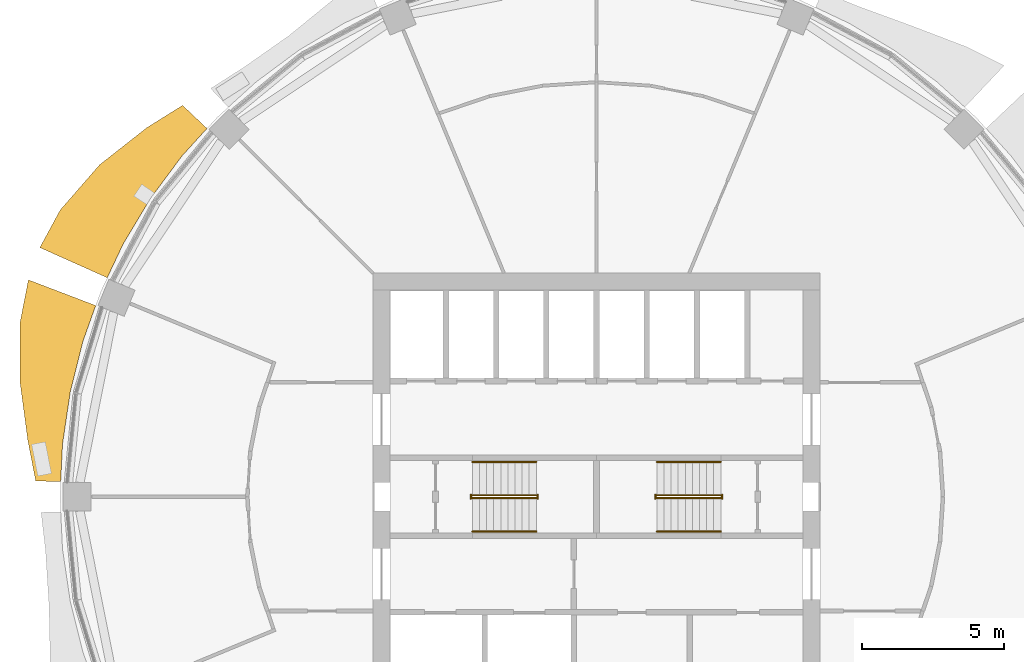
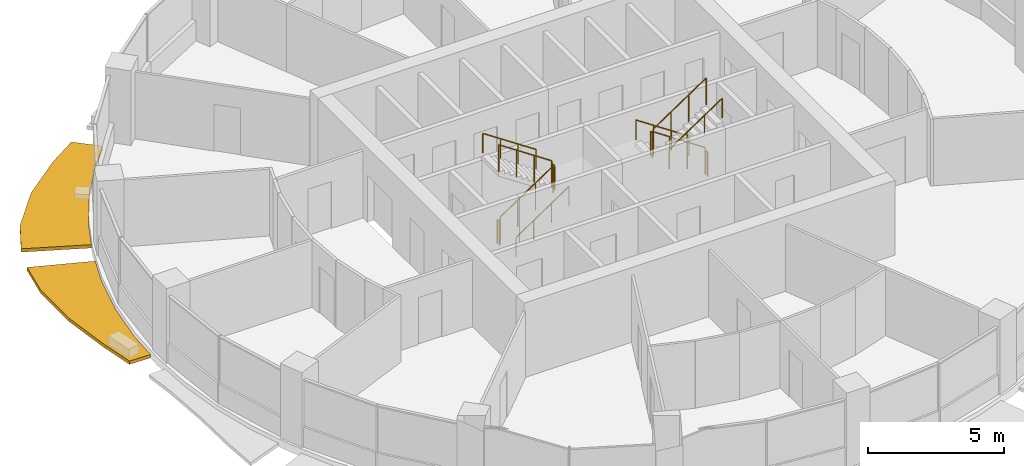
# One storey, part 12 of 14: 12 railings, 2 shading devices.
"""IFC4 building model written with IfcOpenShell, lengths in metres."""

from ifc_helpers import new_model, si_unit, direction, frame, origin, origin_2d, place, context, subcontext, project, spatial, polyline, circle, outline, extrude, material, type_object, element, save


model = new_model("IFC4")

# Units and contexts
model_context = context("Model", 3, precision=1e-05, world=origin(), true_north=direction((0.0, 1.0)))
body_context = subcontext(model_context, "Body", "Model", "MODEL_VIEW")
ifc_project = project(units=[si_unit("LENGTHUNIT", "METRE"), si_unit("AREAUNIT", "SQUARE_METRE"), si_unit("VOLUMEUNIT", "CUBIC_METRE"), si_unit("PLANEANGLEUNIT", "RADIAN"), si_unit("MASSUNIT", "GRAM", prefix="KILO")], contexts=[model_context])

# Site, building, storey
site_placement = place(None, origin())
site = spatial("IfcSite", under=ifc_project, at=site_placement, CompositionType="ELEMENT")
building_placement = place(site_placement, origin())
building = spatial("IfcBuilding", under=site, at=building_placement, Name="Polderwave Tower", CompositionType="ELEMENT")
storey_placement = place(building_placement, frame((0.0, 0.0, 141.050048828125)))
storey = spatial("IfcBuildingStorey", under=building, at=storey_placement, Name="L37", CompositionType="ELEMENT", Elevation=141.050048828125)

# Railings
ifc_material_1 = material(Name="Stainless steel", Category="steel")
railing_type_1 = type_object("IfcRailingType", Name="Stair guard 1100", PredefinedType="GUARDRAIL", material=ifc_material_1)
railing_1_placement = place(storey_placement, frame((-4.3740234375, -0.051025390625, 0.04736328125)))
element("IfcRailing", 1, at=railing_1_placement, inside=storey, type_object=railing_type_1, Name="L37 ST-A stair guard 1", PredefinedType="GUARDRAIL", context=body_context, shape_type="SweptSolid", body=[
    extrude(circle(Radius=0.02392578125, at=origin_2d()), frame((0.0, 0.0, 1.1962890625), z_axis=(0.830758306289, 0.0, 0.556633305266), x_axis=(0.0, 1.0, 0.0)), (0.0, 0.0, 1.0), 2.708251953125),
    extrude(circle(Radius=0.02392578125, at=origin_2d()), origin(), (0.0, 0.0, 1.0), 1.172119140625),
    extrude(circle(Radius=0.02392578125, at=origin_2d()), frame((0.75, 0.0, 0.50244140625)), (0.0, 0.0, 1.0), 1.172119140625),
    extrude(circle(Radius=0.02392578125, at=origin_2d()), frame((1.5, 0.0, 1.005126953125)), (0.0, 0.0, 1.0), 1.172119140625),
    extrude(circle(Radius=0.02392578125, at=origin_2d()), frame((2.25, 0.0, 1.507568359375)), (0.0, 0.0, 1.0), 1.172119140625),
])
railing_2_placement = place(storey_placement, frame((-2.073974609375, -0.074951171875, 1.675048828125)))
element("IfcRailing", 2, at=railing_2_placement, inside=storey, type_object=railing_type_1, Name="L37 ST-A stair guard 2", PredefinedType="GUARDRAIL", context=body_context, shape_type="SweptSolid", body=[
    extrude(circle(Radius=0.02392578125, at=origin_2d()), frame((0.0, 0.0, 1.076171875), z_axis=(0.0, 1.0, 0.0), x_axis=(-1.0, 0.0, 0.0)), (0.0, 0.0, 1.0), 0.14990234375),
    extrude(circle(Radius=0.02099609375, at=origin_2d()), origin(), (0.0, 0.0, 1.0), 1.052001953125),
    extrude(circle(Radius=0.02099609375, at=origin_2d()), frame((0.0, 0.14990234375, 0.0)), (0.0, 0.0, 1.0), 1.052001953125),
])
railing_3_placement = place(storey_placement, frame((-2.1240234375, 0.051025390625, 1.722412109375)))
element("IfcRailing", 3, at=railing_3_placement, inside=storey, type_object=railing_type_1, Name="L37 ST-A stair guard 3", PredefinedType="GUARDRAIL", context=body_context, shape_type="SweptSolid", body=[
    extrude(circle(Radius=0.02392578125, at=origin_2d()), frame((0.0, 0.0, 1.1962890625), z_axis=(-0.830799990696, 0.0, 0.556571087517), x_axis=(0.0, -1.0, 0.0)), (0.0, 0.0, 1.0), 2.708251953125),
    extrude(circle(Radius=0.02392578125, at=origin_2d()), origin(), (0.0, 0.0, 1.0), 1.172119140625),
    extrude(circle(Radius=0.02392578125, at=origin_2d()), frame((-0.75, 0.0, 0.50244140625)), (0.0, 0.0, 1.0), 1.172119140625),
    extrude(circle(Radius=0.02392578125, at=origin_2d()), frame((-1.5, 0.0, 1.0048828125)), (0.0, 0.0, 1.0), 1.172119140625),
    extrude(circle(Radius=0.02392578125, at=origin_2d()), frame((-2.25, 0.0, 1.50732421875)), (0.0, 0.0, 1.0), 1.172119140625),
])
railing_4_placement = place(storey_placement, frame((-4.424072265625, -0.074951171875, 0.0)))
element("IfcRailing", 4, at=railing_4_placement, inside=storey, type_object=railing_type_1, Name="L37 ST-A stair guard 4", PredefinedType="GUARDRAIL", context=body_context, shape_type="SweptSolid", body=[
    extrude(circle(Radius=0.02392578125, at=origin_2d()), frame((0.0, 0.0, 1.076171875), z_axis=(0.0, 1.0, 0.0), x_axis=(-1.0, 0.0, 0.0)), (0.0, 0.0, 1.0), 0.14990234375),
    extrude(circle(Radius=0.02099609375, at=origin_2d()), origin(), (0.0, 0.0, 1.0), 1.052001953125),
    extrude(circle(Radius=0.02099609375, at=origin_2d()), frame((0.0, 0.14990234375, 0.0)), (0.0, 0.0, 1.0), 1.052001953125),
])
railing_5_placement = place(storey_placement, frame((4.3740234375, 0.051025390625, 0.04736328125)))
element("IfcRailing", 5, at=railing_5_placement, inside=storey, type_object=railing_type_1, Name="L37 ST-B stair guard 1", PredefinedType="GUARDRAIL", context=body_context, shape_type="SweptSolid", body=[
    extrude(circle(Radius=0.02392578125, at=origin_2d()), frame((0.0, 0.0, 1.1962890625), z_axis=(-0.830758306289, 0.0, 0.556633305266), x_axis=(0.0, -1.0, 0.0)), (0.0, 0.0, 1.0), 2.708251953125),
    extrude(circle(Radius=0.02392578125, at=origin_2d()), origin(), (0.0, 0.0, 1.0), 1.172119140625),
    extrude(circle(Radius=0.02392578125, at=origin_2d()), frame((-0.75, 0.0, 0.50244140625)), (0.0, 0.0, 1.0), 1.172119140625),
    extrude(circle(Radius=0.02392578125, at=origin_2d()), frame((-1.5, 0.0, 1.005126953125)), (0.0, 0.0, 1.0), 1.172119140625),
    extrude(circle(Radius=0.02392578125, at=origin_2d()), frame((-2.25, 0.0, 1.507568359375)), (0.0, 0.0, 1.0), 1.172119140625),
])
railing_6_placement = place(storey_placement, frame((2.073974609375, 0.074951171875, 1.675048828125)))
element("IfcRailing", 6, at=railing_6_placement, inside=storey, type_object=railing_type_1, Name="L37 ST-B stair guard 2", PredefinedType="GUARDRAIL", context=body_context, shape_type="SweptSolid", body=[
    extrude(circle(Radius=0.02392578125, at=origin_2d()), frame((0.0, 0.0, 1.076171875), z_axis=(0.0, -1.0, 0.0), x_axis=(1.0, 0.0, 0.0)), (0.0, 0.0, 1.0), 0.14990234375),
    extrude(circle(Radius=0.02099609375, at=origin_2d()), origin(), (0.0, 0.0, 1.0), 1.052001953125),
    extrude(circle(Radius=0.02099609375, at=origin_2d()), frame((0.0, -0.14990234375, 0.0)), (0.0, 0.0, 1.0), 1.052001953125),
])
railing_7_placement = place(storey_placement, frame((2.1240234375, -0.051025390625, 1.722412109375)))
element("IfcRailing", 7, at=railing_7_placement, inside=storey, type_object=railing_type_1, Name="L37 ST-B stair guard 3", PredefinedType="GUARDRAIL", context=body_context, shape_type="SweptSolid", body=[
    extrude(circle(Radius=0.02392578125, at=origin_2d()), frame((0.0, 0.0, 1.1962890625), z_axis=(0.830799990696, 0.0, 0.556571087517), x_axis=(0.0, 1.0, 0.0)), (0.0, 0.0, 1.0), 2.708251953125),
    extrude(circle(Radius=0.02392578125, at=origin_2d()), origin(), (0.0, 0.0, 1.0), 1.172119140625),
    extrude(circle(Radius=0.02392578125, at=origin_2d()), frame((0.75, 0.0, 0.50244140625)), (0.0, 0.0, 1.0), 1.172119140625),
    extrude(circle(Radius=0.02392578125, at=origin_2d()), frame((1.5, 0.0, 1.0048828125)), (0.0, 0.0, 1.0), 1.172119140625),
    extrude(circle(Radius=0.02392578125, at=origin_2d()), frame((2.25, 0.0, 1.50732421875)), (0.0, 0.0, 1.0), 1.172119140625),
])
railing_8_placement = place(storey_placement, frame((4.424072265625, 0.074951171875, 0.0)))
element("IfcRailing", 8, at=railing_8_placement, inside=storey, type_object=railing_type_1, Name="L37 ST-B stair guard 4", PredefinedType="GUARDRAIL", context=body_context, shape_type="SweptSolid", body=[
    extrude(circle(Radius=0.02392578125, at=origin_2d()), frame((0.0, 0.0, 1.076171875), z_axis=(0.0, -1.0, 0.0), x_axis=(1.0, 0.0, 0.0)), (0.0, 0.0, 1.0), 0.14990234375),
    extrude(circle(Radius=0.02099609375, at=origin_2d()), origin(), (0.0, 0.0, 1.0), 1.052001953125),
    extrude(circle(Radius=0.02099609375, at=origin_2d()), frame((0.0, -0.14990234375, 0.0)), (0.0, 0.0, 1.0), 1.052001953125),
])
railing_type_2 = type_object("IfcRailingType", Name="Stair handrail 900", PredefinedType="HANDRAIL", material=ifc_material_1)
railing_9_placement = place(storey_placement, frame((-4.3740234375, -1.22509765625, 0.16748046875)))
element("IfcRailing", 9, at=railing_9_placement, inside=storey, type_object=railing_type_2, Name="L37 ST-A stair handrail 1", PredefinedType="HANDRAIL", context=body_context, shape_type="SweptSolid", body=[
    extrude(circle(Radius=0.02392578125, at=origin_2d()), frame((0.0, 0.0, 0.8759765625), z_axis=(0.830758306289, 0.0, 0.556633305266), x_axis=(0.0, 1.0, 0.0)), (0.0, 0.0, 1.0), 2.708251953125),
    extrude(circle(Radius=0.02099609375, at=origin_2d()), origin(), (0.0, 0.0, 1.0), 0.851806640625),
    extrude(circle(Radius=0.02099609375, at=origin_2d()), frame((0.75, 0.0, 0.50244140625)), (0.0, 0.0, 1.0), 0.851806640625),
    extrude(circle(Radius=0.02099609375, at=origin_2d()), frame((1.5, 0.0, 1.005126953125)), (0.0, 0.0, 1.0), 0.851806640625),
    extrude(circle(Radius=0.02099609375, at=origin_2d()), frame((2.25, 0.0, 1.507568359375)), (0.0, 0.0, 1.0), 0.851806640625),
])
railing_10_placement = place(storey_placement, frame((-2.1240234375, 1.22509765625, 1.842529296875)))
element("IfcRailing", 10, at=railing_10_placement, inside=storey, type_object=railing_type_2, Name="L37 ST-A stair handrail 2", PredefinedType="HANDRAIL", context=body_context, shape_type="SweptSolid", body=[
    extrude(circle(Radius=0.02392578125, at=origin_2d()), frame((0.0, 0.0, 0.8759765625), z_axis=(-0.830799990696, 0.0, 0.556571087517), x_axis=(0.0, -1.0, 0.0)), (0.0, 0.0, 1.0), 2.708251953125),
    extrude(circle(Radius=0.02099609375, at=origin_2d()), origin(), (0.0, 0.0, 1.0), 0.851806640625),
    extrude(circle(Radius=0.02099609375, at=origin_2d()), frame((-0.75, 0.0, 0.50244140625)), (0.0, 0.0, 1.0), 0.851806640625),
    extrude(circle(Radius=0.02099609375, at=origin_2d()), frame((-1.5, 0.0, 1.0048828125)), (0.0, 0.0, 1.0), 0.851806640625),
    extrude(circle(Radius=0.02099609375, at=origin_2d()), frame((-2.25, 0.0, 1.50732421875)), (0.0, 0.0, 1.0), 0.851806640625),
])
railing_11_placement = place(storey_placement, frame((4.3740234375, 1.22509765625, 0.16748046875)))
element("IfcRailing", 11, at=railing_11_placement, inside=storey, type_object=railing_type_2, Name="L37 ST-B stair handrail 1", PredefinedType="HANDRAIL", context=body_context, shape_type="SweptSolid", body=[
    extrude(circle(Radius=0.02392578125, at=origin_2d()), frame((0.0, 0.0, 0.8759765625), z_axis=(-0.830758306289, 0.0, 0.556633305266), x_axis=(0.0, -1.0, 0.0)), (0.0, 0.0, 1.0), 2.708251953125),
    extrude(circle(Radius=0.02099609375, at=origin_2d()), origin(), (0.0, 0.0, 1.0), 0.851806640625),
    extrude(circle(Radius=0.02099609375, at=origin_2d()), frame((-0.75, 0.0, 0.50244140625)), (0.0, 0.0, 1.0), 0.851806640625),
    extrude(circle(Radius=0.02099609375, at=origin_2d()), frame((-1.5, 0.0, 1.005126953125)), (0.0, 0.0, 1.0), 0.851806640625),
    extrude(circle(Radius=0.02099609375, at=origin_2d()), frame((-2.25, 0.0, 1.507568359375)), (0.0, 0.0, 1.0), 0.851806640625),
])
railing_12_placement = place(storey_placement, frame((2.1240234375, -1.22509765625, 1.842529296875)))
element("IfcRailing", 12, at=railing_12_placement, inside=storey, type_object=railing_type_2, Name="L37 ST-B stair handrail 2", PredefinedType="HANDRAIL", context=body_context, shape_type="SweptSolid", body=[
    extrude(circle(Radius=0.02392578125, at=origin_2d()), frame((0.0, 0.0, 0.8759765625), z_axis=(0.830799990696, 0.0, 0.556571087517), x_axis=(0.0, 1.0, 0.0)), (0.0, 0.0, 1.0), 2.708251953125),
    extrude(circle(Radius=0.02099609375, at=origin_2d()), origin(), (0.0, 0.0, 1.0), 0.851806640625),
    extrude(circle(Radius=0.02099609375, at=origin_2d()), frame((0.75, 0.0, 0.50244140625)), (0.0, 0.0, 1.0), 0.851806640625),
    extrude(circle(Radius=0.02099609375, at=origin_2d()), frame((1.5, 0.0, 1.0048828125)), (0.0, 0.0, 1.0), 0.851806640625),
    extrude(circle(Radius=0.02099609375, at=origin_2d()), frame((2.25, 0.0, 1.50732421875)), (0.0, 0.0, 1.0), 0.851806640625),
])

# Shading devices
ifc_material_2 = material(Name="Terracotta", Category="masonry")
shading_device_type = type_object("IfcShadingDeviceType", Name="Terracotta sunshade band", PredefinedType="USERDEFINED", material=ifc_material_2)
shading_device_1_placement = place(storey_placement, frame((0.0, 0.0, -0.35009765625)))
element("IfcShadingDevice", 13, at=shading_device_1_placement, inside=storey, type_object=shading_device_type, Name="Sunshade band L37 7", ObjectType="SUNSHADE", PredefinedType="USERDEFINED", context=body_context, shape_type="SweptSolid", body=[
    extrude(outline(polyline([(-13.720703125, 12.970947265625), (-14.60986328125, 11.989990234375), (-15.71484375, 10.500244140625), (-16.668212890625, 8.909423828125), (-17.234375, 7.712646484375), (-19.607421875, 8.7744140625), (-18.890869140625, 10.097412109375), (-17.50048828125, 11.693359375), (-15.83935546875, 12.9990234375), (-14.580322265625, 13.78369140625), (-13.720703125, 12.970947265625)])), origin(), (0.0, 0.0, 1.0), 0.150146484375),
])
shading_device_2_placement = place(storey_placement, frame((0.0, 0.0, -0.35009765625)))
element("IfcShadingDevice", 14, at=shading_device_2_placement, inside=storey, type_object=shading_device_type, Name="Sunshade band L37 8", ObjectType="SUNSHADE", PredefinedType="USERDEFINED", context=body_context, shape_type="SweptSolid", body=[
    extrude(outline(polyline([(-17.64013671875, 6.73291015625), (-18.086181640625, 5.486328125), (-18.536865234375, 3.687255859375), (-18.80908203125, 1.8525390625), (-18.8740234375, 0.5302734375), (-19.753662109375, 0.554931640625), (-20.029296875, 1.97265625), (-20.306640625, 4.039306640625), (-20.30029296875, 6.158203125), (-20.010986328125, 7.6376953125), (-17.64013671875, 6.73291015625)])), origin(), (0.0, 0.0, 1.0), 0.150146484375),
])

save(model, "model.ifc")
